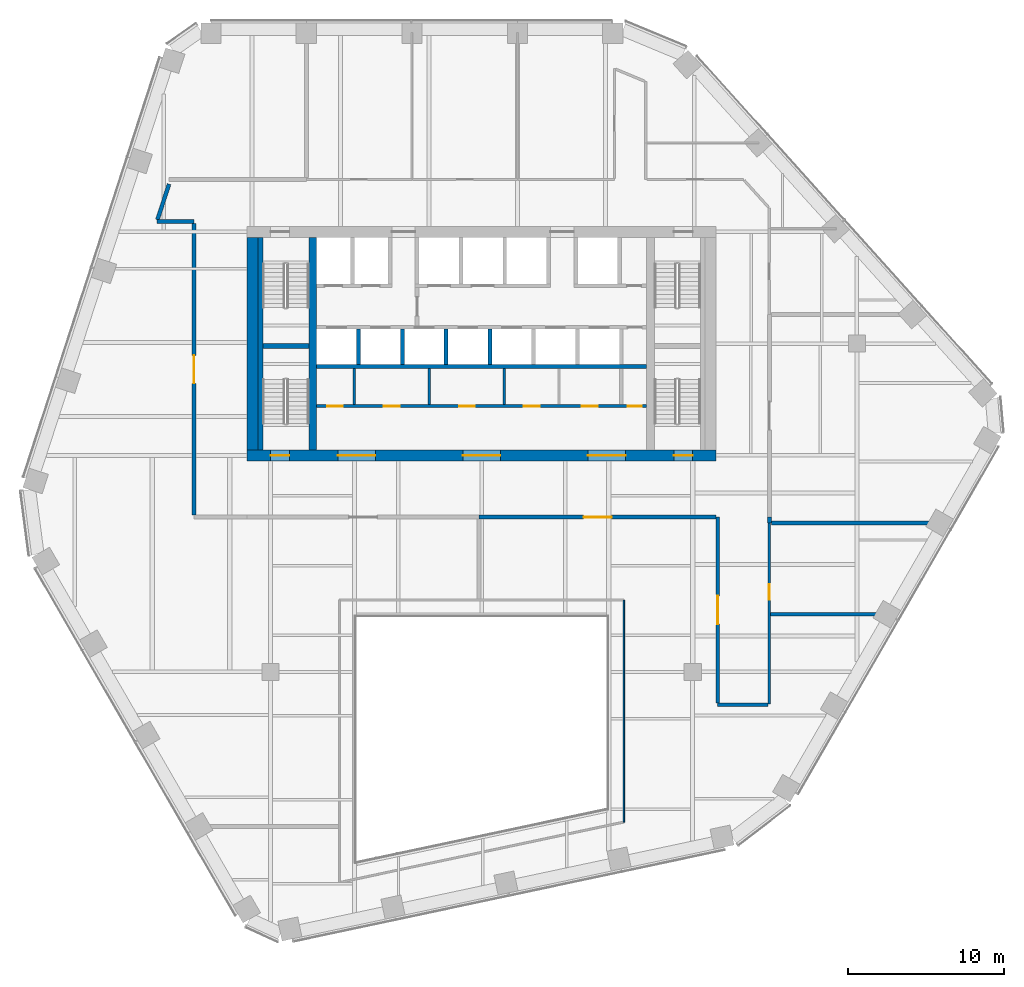
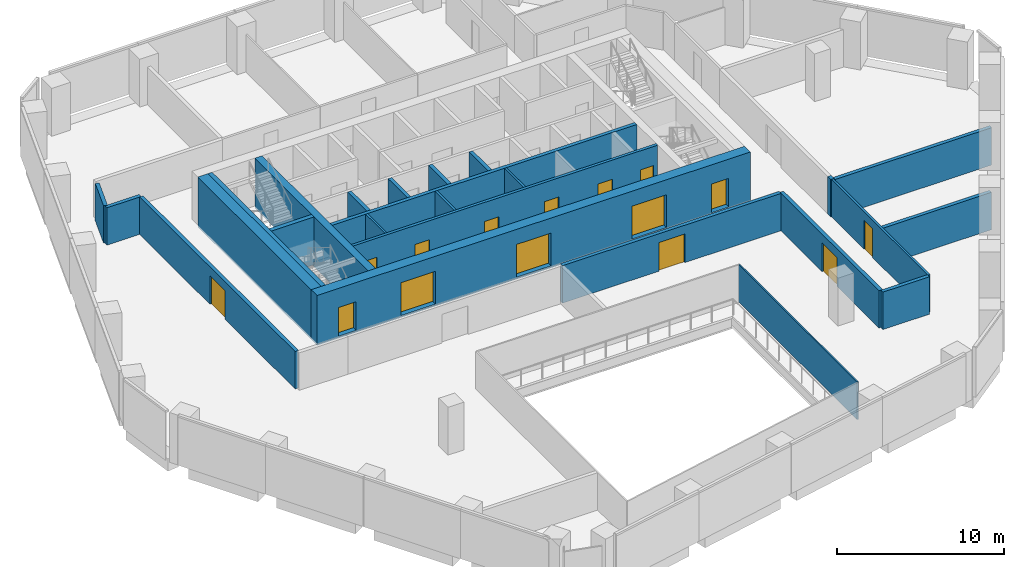
# One storey, part 11 of 16: 25 walls, 15 doors, 15 openings.
"""IFC4 building model written with IfcOpenShell, lengths in metres."""

from ifc_helpers import new_model, si_unit, direction, frame, frame_2d, origin, place, context, subcontext, project, spatial, rectangle, extrude, material, layer, layer_set, type_object, element, fill, save


model = new_model("IFC4")

# Units and contexts
model_context = context("Model", 3, precision=1e-05, world=origin(), true_north=direction((0.0, 1.0)))
body_context = subcontext(model_context, "Body", "Model", "MODEL_VIEW")
ifc_project = project(units=[si_unit("LENGTHUNIT", "METRE"), si_unit("AREAUNIT", "SQUARE_METRE"), si_unit("VOLUMEUNIT", "CUBIC_METRE"), si_unit("PLANEANGLEUNIT", "RADIAN"), si_unit("MASSUNIT", "GRAM", prefix="KILO")], contexts=[model_context])

# Site, building, storey
site_placement = place(None, origin())
site = spatial("IfcSite", under=ifc_project, at=site_placement, CompositionType="ELEMENT")
building_placement = place(site_placement, origin())
building = spatial("IfcBuilding", under=site, at=building_placement, Name="Isthmus Gate Tower", CompositionType="ELEMENT")
storey_placement = place(building_placement, frame((0.0, 0.0, 196.35009765625)))
storey = spatial("IfcBuildingStorey", under=building, at=storey_placement, Name="L49", CompositionType="ELEMENT", Elevation=196.35009765625)

# Wall, opening, door
ifc_material_1 = material(Name="Double-leaf acoustic stud wall, fire-rated", Category="gypsum")
ifc_layer_1 = layer(ifc_material_1, 0.25)
ifc_layer_set_1 = layer_set([ifc_layer_1], Name="ACOUSTIC WALL 250 60 MIN")
wall_type_1 = type_object("IfcWallType", Name="ACOUSTIC WALL 250 60 MIN", PredefinedType="PARTITIONING", material=ifc_layer_set_1)
wall_1_placement = place(storey_placement, frame((14.97509765625, -3.60009765625, 0.0), z_axis=(0.0, 0.0, 1.0), x_axis=(-1.0, 0.0, 0.0)))
wall_1 = element("IfcWall", 1, at=wall_1_placement, inside=storey, type_object=wall_type_1, Name="L49 Acoustic Wall 250 60 Min", PredefinedType="PARTITIONING", context=body_context, shape_type="SweptSolid", body=[
    extrude(rectangle(XDim=15.14111328125, YDim=0.25, at=frame_2d((7.570556640625, 0.0))), origin(), (0.0, 0.0, 1.0), 2.7412109375),
])
opening_1_placement = place(wall_1_placement, frame((6.657958984375, 0.0, 0.0)))
opening_1 = element("IfcOpeningElement", 2, at=opening_1_placement, cuts=wall_1, Name="Opening DT-T4C-10", PredefinedType="OPENING", context=body_context, shape_type="SweptSolid", body=[
    extrude(rectangle(XDim=1.800048828125, YDim=2.10009765625, at=frame_2d((0.89990234375, 1.050048828125))), frame((0.0, 0.135009765625, 0.0), z_axis=(0.0, -1.0, 0.0), x_axis=(1.0, 0.0, 0.0)), (0.0, 0.0, 1.0), 0.27001953125),
])
ifc_material_2 = material(Name="Solid core timber door leaf, fire-rated", Category="wood")
door_type_1 = type_object("IfcDoorType", Name="FIRE DOOR ACOUSTIC ROOM 1800 X 2100 60 MIN", OperationType="DOUBLE_DOOR_DOUBLE_SWING", PredefinedType="DOOR", material=ifc_material_2)
door_1_placement = place(opening_1_placement, origin())
door_1 = element("IfcDoor", 3, at=door_1_placement, inside=storey, type_object=door_type_1, Name="L49 room door", OperationType="DOUBLE_DOOR_DOUBLE_SWING", OverallHeight=2.10009765625, OverallWidth=1.800048828125, PredefinedType="DOOR", context=body_context, shape_type="SweptSolid", body=[
    extrude(rectangle(XDim=1.800048828125, YDim=2.10009765625, at=frame_2d((0.89990234375, 1.050048828125))), frame((0.0, 0.02490234375, 0.0), z_axis=(0.0, -1.0, 0.0), x_axis=(1.0, 0.0, 0.0)), (0.0, 0.0, 1.0), 0.050048828125),
])
fill(opening_1, door_1)

# Walls
wall_2_placement = place(storey_placement, frame((-18.39990234375, 15.300048828125, 0.0), z_axis=(0.0, 0.0, 1.0), x_axis=(-1.0, 0.0, 0.0)))
element("IfcWall", 4, at=wall_2_placement, inside=storey, type_object=wall_type_1, Name="L49 Acoustic Wall 250 60 Min", PredefinedType="PARTITIONING", context=body_context, shape_type="SweptSolid", body=[
    extrude(rectangle(XDim=2.377197265625, YDim=0.25, at=frame_2d((1.1884765625, 0.0))), origin(), (0.0, 0.0, 1.0), 2.7412109375),
])
wall_3_placement = place(storey_placement, frame((18.40087890625, -3.60009765625, 0.0), z_axis=(0.0, 0.0, 1.0), x_axis=(0.0, -1.0, 0.0)))
element("IfcWall", 5, at=wall_3_placement, inside=storey, type_object=wall_type_1, Name="L49 Acoustic Wall 250 60 Min", PredefinedType="PARTITIONING", context=body_context, shape_type="SweptSolid", body=[
    extrude(rectangle(XDim=0.364990234375, YDim=0.25, at=frame_2d((0.1826171875, 0.0))), origin(), (0.0, 0.0, 1.0), 2.7412109375),
])
wall_4_placement = place(storey_placement, frame((18.324951171875, -15.60009765625, 0.0), z_axis=(0.0, 0.0, 1.0), x_axis=(-1.0, 0.0, 0.0)))
element("IfcWall", 6, at=wall_4_placement, inside=storey, type_object=wall_type_1, Name="L49 Acoustic Wall 250 60 Min", PredefinedType="PARTITIONING", context=body_context, shape_type="SweptSolid", body=[
    extrude(rectangle(XDim=3.224853515625, YDim=0.25, at=frame_2d((1.6123046875, 0.0))), origin(), (0.0, 0.0, 1.0), 2.7412109375),
])
wall_5_placement = place(storey_placement, frame((-20.736328125, 15.425048828125, 0.0), z_axis=(0.0, 0.0, 1.0), x_axis=(0.309053762055, 0.951044568966, 0.0)))
element("IfcWall", 7, at=wall_5_placement, inside=storey, type_object=wall_type_1, Name="L49 Acoustic Wall 250 60 Min", PredefinedType="PARTITIONING", context=body_context, shape_type="SweptSolid", body=[
    extrude(rectangle(XDim=2.39208984375, YDim=0.25, at=frame_2d((1.196044921875, 0.0))), origin(), (0.0, 0.0, 1.0), 2.7412109375),
])

# Wall, opening, door
wall_6_placement = place(storey_placement, frame((-18.39990234375, -3.47509765625, 0.0), z_axis=(0.0, 0.0, 1.0), x_axis=(0.0, 1.0, 0.0)))
wall_6 = element("IfcWall", 8, at=wall_6_placement, inside=storey, type_object=wall_type_1, Name="L49 Acoustic Wall 250 60 Min", PredefinedType="PARTITIONING", context=body_context, shape_type="SweptSolid", body=[
    extrude(rectangle(XDim=18.650146484375, YDim=0.25, at=frame_2d((9.3251953125, 0.0))), origin(), (0.0, 0.0, 1.0), 2.7412109375),
])
opening_2_placement = place(wall_6_placement, frame((8.425048828125, 0.0, 0.0)))
opening_2 = element("IfcOpeningElement", 9, at=opening_2_placement, cuts=wall_6, Name="Opening DT-T4C-06", PredefinedType="OPENING", context=body_context, shape_type="SweptSolid", body=[
    extrude(rectangle(XDim=1.800048828125, YDim=2.10009765625, at=frame_2d((0.89990234375, 1.050048828125))), frame((0.0, 0.135009765625, 0.0), z_axis=(0.0, -1.0, 0.0), x_axis=(1.0, 0.0, 0.0)), (0.0, 0.0, 1.0), 0.27001953125),
])
door_2_placement = place(opening_2_placement, origin())
door_2 = element("IfcDoor", 10, at=door_2_placement, inside=storey, type_object=door_type_1, Name="L49 room door", OperationType="DOUBLE_DOOR_DOUBLE_SWING", OverallHeight=2.10009765625, OverallWidth=1.800048828125, PredefinedType="DOOR", context=body_context, shape_type="SweptSolid", body=[
    extrude(rectangle(XDim=1.800048828125, YDim=2.10009765625, at=frame_2d((0.89990234375, 1.050048828125))), frame((0.0, 0.02490234375, 0.0), z_axis=(0.0, -1.0, 0.0), x_axis=(1.0, 0.0, 0.0)), (0.0, 0.0, 1.0), 0.050048828125),
])
fill(opening_2, door_2)

# Walls
wall_7_placement = place(storey_placement, frame((18.52587890625, -3.965087890625, 0.0), z_axis=(0.0, 0.0, 1.0), x_axis=(1.0, 0.0, 0.0)))
element("IfcWall", 11, at=wall_7_placement, inside=storey, type_object=wall_type_1, Name="L49 Acoustic Wall 250 60 Min", PredefinedType="PARTITIONING", context=body_context, shape_type="SweptSolid", body=[
    extrude(rectangle(XDim=10.8232421875, YDim=0.25, at=frame_2d((5.41162109375, 0.0))), origin(), (0.0, 0.0, 1.0), 2.7412109375),
])
wall_8_placement = place(storey_placement, frame((18.47705078125, -9.81103515625, 0.0), z_axis=(0.0, 0.0, 1.0), x_axis=(1.0, 0.0, 0.0)))
element("IfcWall", 12, at=wall_8_placement, inside=storey, type_object=wall_type_1, Name="L49 Acoustic Wall 250 60 Min", PredefinedType="PARTITIONING", context=body_context, shape_type="SweptSolid", body=[
    extrude(rectangle(XDim=7.4970703125, YDim=0.25, at=frame_2d((3.74853515625, 0.0))), origin(), (0.0, 0.0, 1.0), 2.7412109375),
])

# Wall, opening, door
wall_9_placement = place(storey_placement, frame((15.10009765625, -15.47509765625, 0.0), z_axis=(0.0, 0.0, 1.0), x_axis=(0.0, 1.0, 0.0)))
wall_9 = element("IfcWall", 13, at=wall_9_placement, inside=storey, type_object=wall_type_1, Name="L49 Acoustic Wall 250 60 Min", PredefinedType="PARTITIONING", context=body_context, shape_type="SweptSolid", body=[
    extrude(rectangle(XDim=11.875, YDim=0.25, at=frame_2d((5.9375, 0.0))), origin(), (0.0, 0.0, 1.0), 2.7412109375),
])
opening_3_placement = place(wall_9_placement, frame((5.03759765625, 0.0, 0.0)))
opening_3 = element("IfcOpeningElement", 14, at=opening_3_placement, cuts=wall_9, Name="Opening DT-T4C-11", PredefinedType="OPENING", context=body_context, shape_type="SweptSolid", body=[
    extrude(rectangle(XDim=1.800048828125, YDim=2.10009765625, at=frame_2d((0.89990234375, 1.050048828125))), frame((0.0, 0.135009765625, 0.0), z_axis=(0.0, -1.0, 0.0), x_axis=(1.0, 0.0, 0.0)), (0.0, 0.0, 1.0), 0.27001953125),
])
door_3_placement = place(opening_3_placement, origin())
door_3 = element("IfcDoor", 15, at=door_3_placement, inside=storey, type_object=door_type_1, Name="L49 room door", OperationType="DOUBLE_DOOR_DOUBLE_SWING", OverallHeight=2.10009765625, OverallWidth=1.800048828125, PredefinedType="DOOR", context=body_context, shape_type="SweptSolid", body=[
    extrude(rectangle(XDim=1.800048828125, YDim=2.10009765625, at=frame_2d((0.89990234375, 1.050048828125))), frame((0.0, 0.02490234375, 0.0), z_axis=(0.0, -1.0, 0.0), x_axis=(1.0, 0.0, 0.0)), (0.0, 0.0, 1.0), 0.050048828125),
])
fill(opening_3, door_3)

# Wall
ifc_material_3 = material(Name="Fire-rated laminated glass in steel frame", Category="steel")
ifc_layer_2 = layer(ifc_material_3, 0.10009765625)
ifc_layer_set_2 = layer_set([ifc_layer_2], Name="ATRIUM SCREEN GLAZED WALL 100 120 MIN")
wall_type_2 = type_object("IfcWallType", Name="ATRIUM SCREEN GLAZED WALL 100 120 MIN", PredefinedType="PARTITIONING", material=ifc_layer_set_2)
wall_10_placement = place(storey_placement, frame((9.10009765625, -8.89990234375, 0.0), z_axis=(0.0, 0.0, 1.0), x_axis=(0.0, -1.0, 0.0)))
element("IfcWall", 16, at=wall_10_placement, inside=storey, type_object=wall_type_2, Name="L49 atrium screen", PredefinedType="PARTITIONING", context=body_context, shape_type="SweptSolid", body=[
    extrude(rectangle(XDim=14.200927734375, YDim=0.10009765625, at=frame_2d((7.1005859375, 0.0))), origin(), (0.0, 0.0, 1.0), 2.7412109375),
])

# Wall, opening, door
ifc_material_4 = material(Name="Gypsum board on steel studs, fire-rated", Category="steel")
ifc_layer_3 = layer(ifc_material_4, 0.14990234375)
ifc_layer_set_3 = layer_set([ifc_layer_3], Name="CORRIDOR WALL 150 60 MIN")
wall_type_3 = type_object("IfcWallType", Name="CORRIDOR WALL 150 60 MIN", PredefinedType="PARTITIONING", material=ifc_layer_set_3)
wall_11_placement = place(storey_placement, frame((18.39990234375, -3.965087890625, 0.0), z_axis=(0.0, 0.0, 1.0), x_axis=(0.0, -1.0, 0.0)))
wall_11 = element("IfcWall", 17, at=wall_11_placement, inside=storey, type_object=wall_type_3, Name="L49 Corridor Wall 150 60 Min", PredefinedType="PARTITIONING", context=body_context, shape_type="SweptSolid", body=[
    extrude(rectangle(XDim=11.5849609375, YDim=0.14990234375, at=frame_2d((5.79248046875, 0.0))), origin(), (0.0, 0.0, 1.0), 2.7412109375),
])
opening_4_placement = place(wall_11_placement, frame((3.92138671875, 0.0, 0.0)))
opening_4 = element("IfcOpeningElement", 18, at=opening_4_placement, cuts=wall_11, Name="Opening DT-T4C-09", PredefinedType="OPENING", context=body_context, shape_type="SweptSolid", body=[
    extrude(rectangle(XDim=1.0, YDim=2.10009765625, at=frame_2d((0.5, 1.050048828125))), frame((0.0, 0.0849609375, 0.0), z_axis=(0.0, -1.0, 0.0), x_axis=(1.0, 0.0, 0.0)), (0.0, 0.0, 1.0), 0.169921875),
])
ifc_material_5 = material(Name="Solid core timber door leaf, fire-rated", Category="wood")
door_type_2 = type_object("IfcDoorType", Name="FIRE DOOR ROOM 1000 X 2100 60 MIN", OperationType="SINGLE_SWING_LEFT", PredefinedType="DOOR", material=ifc_material_5)
door_4_placement = place(opening_4_placement, origin())
door_4 = element("IfcDoor", 19, at=door_4_placement, inside=storey, type_object=door_type_2, Name="L49 room door", OperationType="SINGLE_SWING_LEFT", OverallHeight=2.10009765625, OverallWidth=1.0, PredefinedType="DOOR", context=body_context, shape_type="SweptSolid", body=[
    extrude(rectangle(XDim=1.0, YDim=2.10009765625, at=frame_2d((0.5, 1.050048828125))), frame((0.0, 0.02490234375, 0.0), z_axis=(0.0, -1.0, 0.0), x_axis=(1.0, 0.0, 0.0)), (0.0, 0.0, 1.0), 0.050048828125),
])
fill(opening_4, door_4)

# Wall
ifc_material_6 = material(Name="Concrete f'c 60 MPa", Category="concrete")
ifc_layer_4 = layer(ifc_material_6, 0.5)
ifc_layer_set_4 = layer_set([ifc_layer_4], Name="RC CORE SPINE WALL 500 F'C 60")
wall_type_4 = type_object("IfcWallType", Name="RC CORE SPINE WALL 500 F'C 60", PredefinedType="SOLIDWALL", material=ifc_layer_set_4)
wall_12_placement = place(storey_placement, frame((-10.800048828125, 0.699951171875, -0.150146484375), z_axis=(0.0, 0.0, 1.0), x_axis=(0.0, 1.0, 0.0)))
element("IfcWall", 20, at=wall_12_placement, inside=storey, type_object=wall_type_4, Name="str-corewall-L49-SPW", PredefinedType="SOLIDWALL", context=body_context, shape_type="SweptSolid", body=[
    extrude(rectangle(XDim=13.60009765625, YDim=0.5, at=frame_2d((6.800048828125, 0.0))), origin(), (0.0, 0.0, 1.0), 3.650146484375),
])

# Wall, openings, doors
ifc_material_7 = material(Name="Concrete f'c 60 MPa", Category="concrete")
ifc_layer_5 = layer(ifc_material_7, 0.699951171875)
ifc_layer_set_5 = layer_set([ifc_layer_5], Name="RC CORE WALL 700 F'C 60")
wall_type_5 = type_object("IfcWallType", Name="RC CORE WALL 700 F'C 60", PredefinedType="SOLIDWALL", material=ifc_layer_set_5)
wall_13_placement = place(storey_placement, frame((-15.0, 0.35009765625, -0.150146484375), z_axis=(0.0, 0.0, 1.0), x_axis=(1.0, 0.0, 0.0)))
wall_13 = element("IfcWall", 21, at=wall_13_placement, inside=storey, type_object=wall_type_5, Name="str-corewall-L49-S", PredefinedType="SOLIDWALL", context=body_context, shape_type="SweptSolid", body=[
    extrude(rectangle(XDim=30.0, YDim=0.699951171875, at=frame_2d((15.0, 0.0))), origin(), (0.0, 0.0, 1.0), 3.650146484375),
])
opening_5_placement = place(wall_13_placement, frame((5.800048828125, 0.0, 0.14990234375)))
opening_5 = element("IfcOpeningElement", 22, at=opening_5_placement, cuts=wall_13, Name="Opening DC-A12-10", PredefinedType="OPENING", context=body_context, shape_type="SweptSolid", body=[
    extrude(rectangle(XDim=2.39990234375, YDim=2.39990234375, at=frame_2d((1.199951171875, 1.199951171875))), frame((0.0, 0.35986328125, 0.0), z_axis=(0.0, -1.0, 0.0), x_axis=(1.0, 0.0, 0.0)), (0.0, 0.0, 1.0), 0.719970703125),
])
opening_6_placement = place(wall_13_placement, frame((13.800048828125, 0.0, 0.14990234375)))
opening_6 = element("IfcOpeningElement", 23, at=opening_6_placement, cuts=wall_13, Name="Opening DC-A12-11", PredefinedType="OPENING", context=body_context, shape_type="SweptSolid", body=[
    extrude(rectangle(XDim=2.39990234375, YDim=2.39990234375, at=frame_2d((1.199951171875, 1.199951171875))), frame((0.0, 0.35986328125, 0.0), z_axis=(0.0, -1.0, 0.0), x_axis=(1.0, 0.0, 0.0)), (0.0, 0.0, 1.0), 0.719970703125),
])
opening_7_placement = place(wall_13_placement, frame((21.800048828125, 0.0, 0.14990234375)))
opening_7 = element("IfcOpeningElement", 24, at=opening_7_placement, cuts=wall_13, Name="Opening DC-A12-12", PredefinedType="OPENING", context=body_context, shape_type="SweptSolid", body=[
    extrude(rectangle(XDim=2.39990234375, YDim=2.39990234375, at=frame_2d((1.199951171875, 1.199951171875))), frame((0.0, 0.35986328125, 0.0), z_axis=(0.0, -1.0, 0.0), x_axis=(1.0, 0.0, 0.0)), (0.0, 0.0, 1.0), 0.719970703125),
])
opening_8_placement = place(wall_13_placement, frame((1.5, 0.0, 0.14990234375)))
opening_8 = element("IfcOpeningElement", 25, at=opening_8_placement, cuts=wall_13, Name="Opening DC-A12-17", PredefinedType="OPENING", context=body_context, shape_type="SweptSolid", body=[
    extrude(rectangle(XDim=1.199951171875, YDim=2.10009765625, at=frame_2d((0.60009765625, 1.050048828125))), frame((0.0, 0.35986328125, 0.0), z_axis=(0.0, -1.0, 0.0), x_axis=(1.0, 0.0, 0.0)), (0.0, 0.0, 1.0), 0.719970703125),
])
opening_9_placement = place(wall_13_placement, frame((27.300048828125, 0.0, 0.14990234375)))
opening_9 = element("IfcOpeningElement", 26, at=opening_9_placement, cuts=wall_13, Name="Opening DC-A12-18", PredefinedType="OPENING", context=body_context, shape_type="SweptSolid", body=[
    extrude(rectangle(XDim=1.199951171875, YDim=2.10009765625, at=frame_2d((0.60009765625, 1.050048828125))), frame((0.0, 0.35986328125, 0.0), z_axis=(0.0, -1.0, 0.0), x_axis=(1.0, 0.0, 0.0)), (0.0, 0.0, 1.0), 0.719970703125),
])
ifc_material_8 = material(Name="Laminated safety glass in steel frame, fire-rated", Category="steel")
door_type_3 = type_object("IfcDoorType", Name="LOBBY ENTRANCE FIRE DOOR 2400 X 2400 60 MIN", OperationType="DOUBLE_DOOR_DOUBLE_SWING", PredefinedType="DOOR", material=ifc_material_8)
door_5_placement = place(opening_5_placement, origin())
door_5 = element("IfcDoor", 27, at=door_5_placement, inside=storey, type_object=door_type_3, Name="Lobby Entrance PS-W", OperationType="DOUBLE_DOOR_DOUBLE_SWING", OverallHeight=2.39990234375, OverallWidth=2.39990234375, PredefinedType="DOOR", context=body_context, shape_type="SweptSolid", body=[
    extrude(rectangle(XDim=2.39990234375, YDim=2.39990234375, at=frame_2d((1.199951171875, 1.199951171875))), frame((0.0, 0.02490234375, 0.0), z_axis=(0.0, -1.0, 0.0), x_axis=(1.0, 0.0, 0.0)), (0.0, 0.0, 1.0), 0.050048828125),
])
fill(opening_5, door_5)
door_6_placement = place(opening_6_placement, origin())
door_6 = element("IfcDoor", 28, at=door_6_placement, inside=storey, type_object=door_type_3, Name="Lobby Entrance PS-C", OperationType="DOUBLE_DOOR_DOUBLE_SWING", OverallHeight=2.39990234375, OverallWidth=2.39990234375, PredefinedType="DOOR", context=body_context, shape_type="SweptSolid", body=[
    extrude(rectangle(XDim=2.39990234375, YDim=2.39990234375, at=frame_2d((1.199951171875, 1.199951171875))), frame((0.0, 0.02490234375, 0.0), z_axis=(0.0, -1.0, 0.0), x_axis=(1.0, 0.0, 0.0)), (0.0, 0.0, 1.0), 0.050048828125),
])
fill(opening_6, door_6)
door_7_placement = place(opening_7_placement, origin())
door_7 = element("IfcDoor", 29, at=door_7_placement, inside=storey, type_object=door_type_3, Name="Lobby Entrance PS-E", OperationType="DOUBLE_DOOR_DOUBLE_SWING", OverallHeight=2.39990234375, OverallWidth=2.39990234375, PredefinedType="DOOR", context=body_context, shape_type="SweptSolid", body=[
    extrude(rectangle(XDim=2.39990234375, YDim=2.39990234375, at=frame_2d((1.199951171875, 1.199951171875))), frame((0.0, 0.02490234375, 0.0), z_axis=(0.0, -1.0, 0.0), x_axis=(1.0, 0.0, 0.0)), (0.0, 0.0, 1.0), 0.050048828125),
])
fill(opening_7, door_7)
ifc_material_9 = material(Name="Steel door leaf, fire-rated", Category="steel")
door_type_4 = type_object("IfcDoorType", Name="STAIR FIRE DOOR 1200 X 2100 90 MIN", OperationType="SINGLE_SWING_LEFT", PredefinedType="DOOR", material=ifc_material_9)
door_8_placement = place(opening_8_placement, origin())
door_8 = element("IfcDoor", 30, at=door_8_placement, inside=storey, type_object=door_type_4, Name="Exit Stair 7 Door", OperationType="SINGLE_SWING_LEFT", OverallHeight=2.10009765625, OverallWidth=1.199951171875, PredefinedType="DOOR", context=body_context, shape_type="SweptSolid", body=[
    extrude(rectangle(XDim=1.199951171875, YDim=2.10009765625, at=frame_2d((0.60009765625, 1.050048828125))), frame((0.0, 0.02490234375, 0.0), z_axis=(0.0, -1.0, 0.0), x_axis=(1.0, 0.0, 0.0)), (0.0, 0.0, 1.0), 0.050048828125),
])
fill(opening_8, door_8)
door_9_placement = place(opening_9_placement, origin())
door_9 = element("IfcDoor", 31, at=door_9_placement, inside=storey, type_object=door_type_4, Name="Exit Stair 8 Door", OperationType="SINGLE_SWING_RIGHT", OverallHeight=2.10009765625, OverallWidth=1.199951171875, PredefinedType="DOOR", context=body_context, shape_type="SweptSolid", body=[
    extrude(rectangle(XDim=1.199951171875, YDim=2.10009765625, at=frame_2d((0.60009765625, 1.050048828125))), frame((0.0, 0.02490234375, 0.0), z_axis=(0.0, -1.0, 0.0), x_axis=(1.0, 0.0, 0.0)), (0.0, 0.0, 1.0), 0.050048828125),
])
fill(opening_9, door_9)

# Walls
wall_14_placement = place(storey_placement, frame((-14.64990234375, 0.699951171875, -0.150146484375), z_axis=(0.0, 0.0, 1.0), x_axis=(0.0, 1.0, 0.0)))
element("IfcWall", 32, at=wall_14_placement, inside=storey, type_object=wall_type_5, Name="str-corewall-L49-W", PredefinedType="SOLIDWALL", context=body_context, shape_type="SweptSolid", body=[
    extrude(rectangle(XDim=13.60009765625, YDim=0.699951171875, at=frame_2d((6.800048828125, 0.0))), origin(), (0.0, 0.0, 1.0), 3.650146484375),
])
ifc_material_10 = material(Name="Gypsum board on steel studs, fire-rated", Category="steel")
ifc_layer_6 = layer(ifc_material_10, 0.14990234375)
ifc_layer_set_6 = layer_set([ifc_layer_6], Name="ROOM PARTITION 150 60 MIN")
wall_type_6 = type_object("IfcWallType", Name="ROOM PARTITION 150 60 MIN", PredefinedType="PARTITIONING", material=ifc_layer_set_6)
for number, where, z_axis, x_axis, name in (
    (33, (-8.14990234375, 3.60009765625, 0.0), (0.0, 0.0, 1.0), (0.0, 1.0, 0.0), "L49 ROOM PARTITION 150 60 MIN"),
    (34, (-3.35009765625, 3.60009765625, 0.0), (0.0, 0.0, 1.0), (0.0, 1.0, 0.0), "L49 ROOM PARTITION 150 60 MIN"),
    (35, (1.449951171875, 3.60009765625, 0.0), (0.0, 0.0, 1.0), (0.0, 1.0, 0.0), "L49 ROOM PARTITION 150 60 MIN"),
):
    element("IfcWall", number, at=place(storey_placement, frame(where, z_axis=z_axis, x_axis=x_axis)), inside=storey, type_object=wall_type_6, Name=name, PredefinedType="PARTITIONING", context=body_context, shape_type="SweptSolid", body=[
        extrude(rectangle(XDim=2.2998046875, YDim=0.14990234375, at=frame_2d((1.14990234375, 0.0))), origin(), (0.0, 0.0, 1.0), 3.5),
    ])

# Wall, openings, doors
ifc_material_11 = material(Name="Fire-rated blockwork masonry, 15 MPa", Category="masonry")
ifc_layer_7 = layer(ifc_material_11, 0.199951171875)
ifc_layer_set_7 = layer_set([ifc_layer_7], Name="SHAFT FRONT WALL 200 120 MIN")
wall_type_7 = type_object("IfcWallType", Name="SHAFT FRONT WALL 200 120 MIN", PredefinedType="PARTITIONING", material=ifc_layer_set_7)
wall_15_placement = place(storey_placement, frame((-10.550048828125, 3.5, 0.0), z_axis=(0.0, 0.0, 1.0), x_axis=(1.0, 0.0, 0.0)))
wall_15 = element("IfcWall", 36, at=wall_15_placement, inside=storey, type_object=wall_type_7, Name="L49 SHAFT FRONT WALL 200 120 MIN", PredefinedType="PARTITIONING", context=body_context, shape_type="SweptSolid", body=[
    extrude(rectangle(XDim=21.10009765625, YDim=0.199951171875, at=frame_2d((10.550048828125, 0.0))), origin(), (0.0, 0.0, 1.0), 3.5),
])
opening_10_placement = place(wall_15_placement, frame((0.66259765625, 0.0, 0.0)))
opening_10 = element("IfcOpeningElement", 37, at=opening_10_placement, cuts=wall_15, Name="Opening DC-A12-02", PredefinedType="OPENING", context=body_context, shape_type="SweptSolid", body=[
    extrude(rectangle(XDim=1.0, YDim=2.10009765625, at=frame_2d((0.5, 1.050048828125))), frame((0.0, 0.10986328125, 0.0), z_axis=(0.0, -1.0, 0.0), x_axis=(1.0, 0.0, 0.0)), (0.0, 0.0, 1.0), 0.219970703125),
])
opening_11_placement = place(wall_15_placement, frame((4.300048828125, 0.0, 0.0)))
opening_11 = element("IfcOpeningElement", 38, at=opening_11_placement, cuts=wall_15, Name="Opening DC-A12-03", PredefinedType="OPENING", context=body_context, shape_type="SweptSolid", body=[
    extrude(rectangle(XDim=1.0, YDim=2.10009765625, at=frame_2d((0.5, 1.050048828125))), frame((0.0, 0.10986328125, 0.0), z_axis=(0.0, -1.0, 0.0), x_axis=(1.0, 0.0, 0.0)), (0.0, 0.0, 1.0), 0.219970703125),
])
opening_12_placement = place(wall_15_placement, frame((9.10009765625, 0.0, 0.0)))
opening_12 = element("IfcOpeningElement", 39, at=opening_12_placement, cuts=wall_15, Name="Opening DC-A12-04", PredefinedType="OPENING", context=body_context, shape_type="SweptSolid", body=[
    extrude(rectangle(XDim=1.0, YDim=2.10009765625, at=frame_2d((0.5, 1.050048828125))), frame((0.0, 0.10986328125, 0.0), z_axis=(0.0, -1.0, 0.0), x_axis=(1.0, 0.0, 0.0)), (0.0, 0.0, 1.0), 0.219970703125),
])
opening_13_placement = place(wall_15_placement, frame((13.25, 0.0, 0.0)))
opening_13 = element("IfcOpeningElement", 40, at=opening_13_placement, cuts=wall_15, Name="Opening DC-A12-05", PredefinedType="OPENING", context=body_context, shape_type="SweptSolid", body=[
    extrude(rectangle(XDim=1.0, YDim=2.10009765625, at=frame_2d((0.5, 1.050048828125))), frame((0.0, 0.10986328125, 0.0), z_axis=(0.0, -1.0, 0.0), x_axis=(1.0, 0.0, 0.0)), (0.0, 0.0, 1.0), 0.219970703125),
])
opening_14_placement = place(wall_15_placement, frame((16.96240234375, 0.0, 0.0)))
opening_14 = element("IfcOpeningElement", 41, at=opening_14_placement, cuts=wall_15, Name="Opening DC-A12-06", PredefinedType="OPENING", context=body_context, shape_type="SweptSolid", body=[
    extrude(rectangle(XDim=1.0, YDim=2.10009765625, at=frame_2d((0.5, 1.050048828125))), frame((0.0, 0.10986328125, 0.0), z_axis=(0.0, -1.0, 0.0), x_axis=(1.0, 0.0, 0.0)), (0.0, 0.0, 1.0), 0.219970703125),
])
opening_15_placement = place(wall_15_placement, frame((19.89990234375, 0.0, 0.0)))
opening_15 = element("IfcOpeningElement", 42, at=opening_15_placement, cuts=wall_15, Name="Opening DC-A12-07", PredefinedType="OPENING", context=body_context, shape_type="SweptSolid", body=[
    extrude(rectangle(XDim=0.89990234375, YDim=2.10009765625, at=frame_2d((0.449951171875, 1.050048828125))), frame((0.0, 0.10986328125, 0.0), z_axis=(0.0, -1.0, 0.0), x_axis=(1.0, 0.0, 0.0)), (0.0, 0.0, 1.0), 0.219970703125),
])
ifc_material_12 = material(Name="Steel door leaf, fire-rated", Category="steel")
door_type_5 = type_object("IfcDoorType", Name="FIRE DOOR 1000 X 2100 60 MIN", OperationType="SINGLE_SWING_LEFT", PredefinedType="DOOR", material=ifc_material_12)
door_10_placement = place(opening_10_placement, origin())
door_10 = element("IfcDoor", 43, at=door_10_placement, inside=storey, type_object=door_type_5, Name="Accessible WC Door", OperationType="SINGLE_SWING_LEFT", OverallHeight=2.10009765625, OverallWidth=1.0, PredefinedType="DOOR", context=body_context, shape_type="SweptSolid", body=[
    extrude(rectangle(XDim=1.0, YDim=2.10009765625, at=frame_2d((0.5, 1.050048828125))), frame((0.0, 0.02490234375, 0.0), z_axis=(0.0, -1.0, 0.0), x_axis=(1.0, 0.0, 0.0)), (0.0, 0.0, 1.0), 0.050048828125),
])
fill(opening_10, door_10)
door_11_placement = place(opening_11_placement, origin())
door_11 = element("IfcDoor", 44, at=door_11_placement, inside=storey, type_object=door_type_5, Name="WC Women Door", OperationType="SINGLE_SWING_RIGHT", OverallHeight=2.10009765625, OverallWidth=1.0, PredefinedType="DOOR", context=body_context, shape_type="SweptSolid", body=[
    extrude(rectangle(XDim=1.0, YDim=2.10009765625, at=frame_2d((0.5, 1.050048828125))), frame((0.0, 0.02490234375, 0.0), z_axis=(0.0, -1.0, 0.0), x_axis=(1.0, 0.0, 0.0)), (0.0, 0.0, 1.0), 0.050048828125),
])
fill(opening_11, door_11)
door_12_placement = place(opening_12_placement, origin())
door_12 = element("IfcDoor", 45, at=door_12_placement, inside=storey, type_object=door_type_5, Name="WC Men Door", OperationType="SINGLE_SWING_LEFT", OverallHeight=2.10009765625, OverallWidth=1.0, PredefinedType="DOOR", context=body_context, shape_type="SweptSolid", body=[
    extrude(rectangle(XDim=1.0, YDim=2.10009765625, at=frame_2d((0.5, 1.050048828125))), frame((0.0, 0.02490234375, 0.0), z_axis=(0.0, -1.0, 0.0), x_axis=(1.0, 0.0, 0.0)), (0.0, 0.0, 1.0), 0.050048828125),
])
fill(opening_12, door_12)
door_13_placement = place(opening_13_placement, origin())
door_13 = element("IfcDoor", 46, at=door_13_placement, inside=storey, type_object=door_type_5, Name="Staff Room Door", OperationType="SINGLE_SWING_RIGHT", OverallHeight=2.10009765625, OverallWidth=1.0, PredefinedType="DOOR", context=body_context, shape_type="SweptSolid", body=[
    extrude(rectangle(XDim=1.0, YDim=2.10009765625, at=frame_2d((0.5, 1.050048828125))), frame((0.0, 0.02490234375, 0.0), z_axis=(0.0, -1.0, 0.0), x_axis=(1.0, 0.0, 0.0)), (0.0, 0.0, 1.0), 0.050048828125),
])
fill(opening_13, door_13)
door_14_placement = place(opening_14_placement, origin())
door_14 = element("IfcDoor", 47, at=door_14_placement, inside=storey, type_object=door_type_5, Name="Stationery Store Door", OperationType="SINGLE_SWING_LEFT", OverallHeight=2.10009765625, OverallWidth=1.0, PredefinedType="DOOR", context=body_context, shape_type="SweptSolid", body=[
    extrude(rectangle(XDim=1.0, YDim=2.10009765625, at=frame_2d((0.5, 1.050048828125))), frame((0.0, 0.02490234375, 0.0), z_axis=(0.0, -1.0, 0.0), x_axis=(1.0, 0.0, 0.0)), (0.0, 0.0, 1.0), 0.050048828125),
])
fill(opening_14, door_14)
ifc_material_13 = material(Name="Steel door leaf, fire-rated", Category="steel")
door_type_6 = type_object("IfcDoorType", Name="RISER FIRE DOOR 900 X 2100 90 MIN", OperationType="SINGLE_SWING_LEFT", PredefinedType="DOOR", material=ifc_material_13)
door_15_placement = place(opening_15_placement, origin())
door_15 = element("IfcDoor", 48, at=door_15_placement, inside=storey, type_object=door_type_6, Name="Riser Door", OperationType="SINGLE_SWING_RIGHT", OverallHeight=2.10009765625, OverallWidth=0.89990234375, PredefinedType="DOOR", context=body_context, shape_type="SweptSolid", body=[
    extrude(rectangle(XDim=0.89990234375, YDim=2.10009765625, at=frame_2d((0.449951171875, 1.050048828125))), frame((0.0, 0.02490234375, 0.0), z_axis=(0.0, -1.0, 0.0), x_axis=(1.0, 0.0, 0.0)), (0.0, 0.0, 1.0), 0.050048828125),
])
fill(opening_15, door_15)

# Walls
ifc_material_14 = material(Name="Fire-rated blockwork masonry, 15 MPa", Category="masonry")
ifc_layer_8 = layer(ifc_material_14, 0.25)
ifc_layer_set_8 = layer_set([ifc_layer_8], Name="SHAFT WALL 250 120 MIN")
wall_type_8 = type_object("IfcWallType", Name="SHAFT WALL 250 120 MIN", PredefinedType="PARTITIONING", material=ifc_layer_set_8)
wall_16_placement = place(storey_placement, frame((-10.550048828125, 6.02490234375, 0.0), z_axis=(0.0, 0.0, 1.0), x_axis=(1.0, 0.0, 0.0)))
element("IfcWall", 49, at=wall_16_placement, inside=storey, type_object=wall_type_8, Name="L49 SHAFT WALL 250 120 MIN", PredefinedType="PARTITIONING", context=body_context, shape_type="SweptSolid", body=[
    extrude(rectangle(XDim=21.10009765625, YDim=0.25, at=frame_2d((10.550048828125, 0.0))), origin(), (0.0, 0.0, 1.0), 3.5),
])
for number, where, z_axis, x_axis, name in (
    (50, (-7.875, 6.14990234375, 0.0), (0.0, 0.0, 1.0), (0.0, 1.0, 0.0), "L49 SHAFT WALL 250 120 MIN"),
    (51, (-5.074951171875, 6.14990234375, 0.0), (0.0, 0.0, 1.0), (0.0, 1.0, 0.0), "L49 SHAFT WALL 250 120 MIN"),
    (52, (-2.27490234375, 6.14990234375, 0.0), (0.0, 0.0, 1.0), (0.0, 1.0, 0.0), "L49 SHAFT WALL 250 120 MIN"),
    (53, (0.52490234375, 6.14990234375, 0.0), (0.0, 0.0, 1.0), (0.0, 1.0, 0.0), "L49 SHAFT WALL 250 120 MIN"),
):
    element("IfcWall", number, at=place(storey_placement, frame(where, z_axis=z_axis, x_axis=x_axis)), inside=storey, type_object=wall_type_8, Name=name, PredefinedType="PARTITIONING", context=body_context, shape_type="SweptSolid", body=[
        extrude(rectangle(XDim=2.300048828125, YDim=0.25, at=frame_2d((1.14990234375, 0.0))), origin(), (0.0, 0.0, 1.0), 3.5),
    ])
ifc_material_15 = material(Name="Concrete f'c 40 MPa", Category="concrete")
ifc_layer_9 = layer(ifc_material_15, 0.300048828125)
ifc_layer_set_9 = layer_set([ifc_layer_9], Name="STAIR ENCLOSURE WALL 300 180 MIN")
wall_type_9 = type_object("IfcWallType", Name="STAIR ENCLOSURE WALL 300 180 MIN", PredefinedType="SOLIDWALL", material=ifc_layer_set_9)
wall_17_placement = place(storey_placement, frame((-14.0, 7.35009765625, 0.0), z_axis=(0.0, 0.0, 1.0), x_axis=(1.0, 0.0, 0.0)))
element("IfcWall", 54, at=wall_17_placement, inside=storey, type_object=wall_type_9, Name="L49 STAIR ENCLOSURE WALL 300 180 MIN", PredefinedType="SOLIDWALL", context=body_context, shape_type="SweptSolid", body=[
    extrude(rectangle(XDim=2.949951171875, YDim=0.300048828125, at=frame_2d((1.47509765625, 0.0))), origin(), (0.0, 0.0, 1.0), 3.5),
])
wall_18_placement = place(storey_placement, frame((-14.14990234375, 0.699951171875, 0.0), z_axis=(0.0, 0.0, 1.0), x_axis=(0.0, 1.0, 0.0)))
element("IfcWall", 55, at=wall_18_placement, inside=storey, type_object=wall_type_9, Name="L49 STAIR ENCLOSURE WALL 300 180 MIN", PredefinedType="SOLIDWALL", context=body_context, shape_type="SweptSolid", body=[
    extrude(rectangle(XDim=13.60009765625, YDim=0.300048828125, at=frame_2d((6.800048828125, 0.0))), origin(), (0.0, 0.0, 1.0), 3.5),
])

save(model, "model.ifc")
